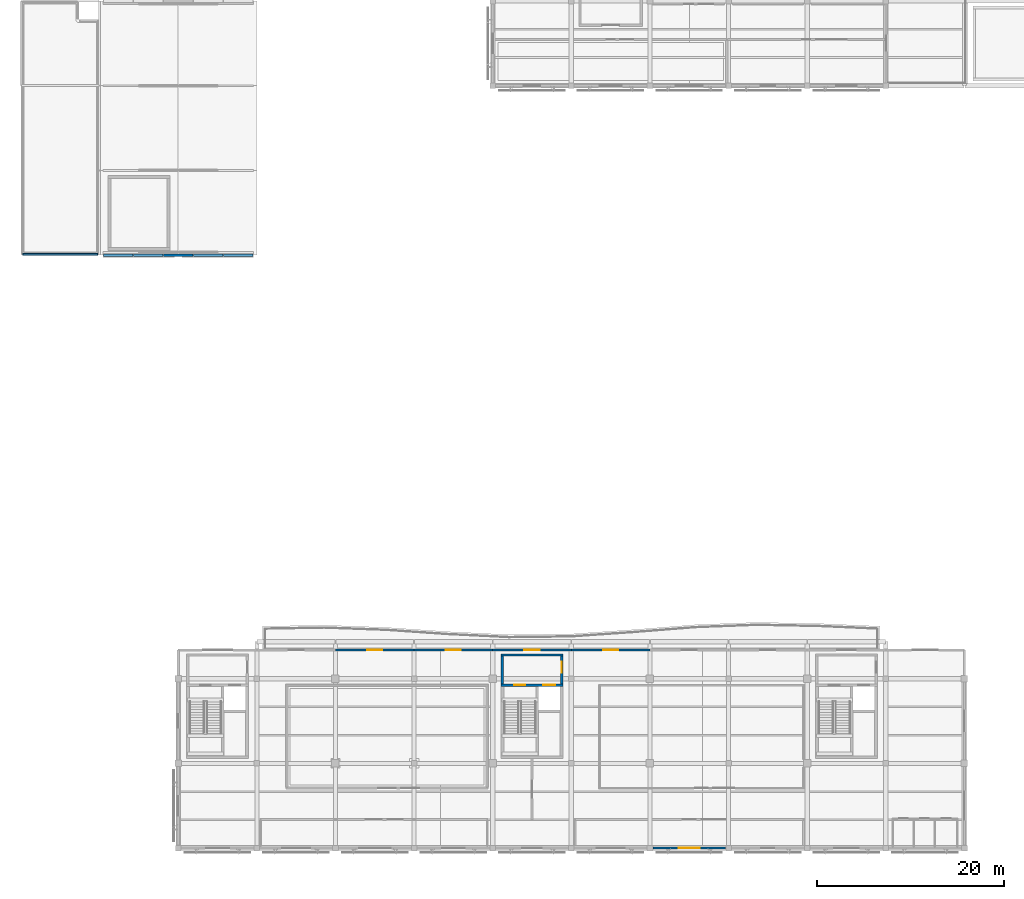
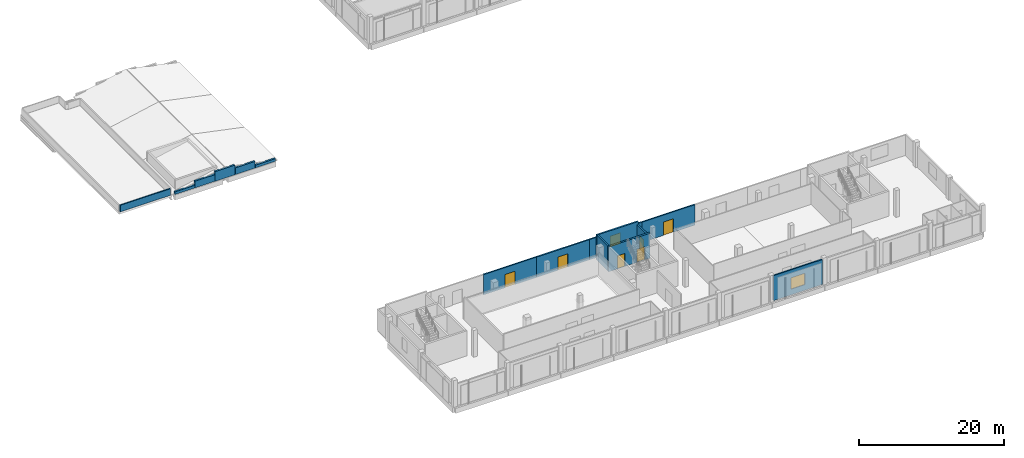
# One storey, part 16 of 28: 15 walls, 6 doors, 2 windows, 8 openings.
"""IFC4 building model written with IfcOpenShell, lengths in metres."""

from ifc_helpers import new_model, si_unit, direction, frame, frame_2d, origin, place, context, subcontext, project, spatial, rectangle, extrude, material, layer, layer_set, type_object, element, fill, save


model = new_model("IFC4")

# Units and contexts
model_context = context("Model", 3, precision=1e-05, world=origin(), true_north=direction((0.0, 1.0)))
body_context = subcontext(model_context, "Body", "Model", "MODEL_VIEW")
ifc_project = project(units=[si_unit("LENGTHUNIT", "METRE"), si_unit("AREAUNIT", "SQUARE_METRE"), si_unit("VOLUMEUNIT", "CUBIC_METRE"), si_unit("PLANEANGLEUNIT", "RADIAN"), si_unit("MASSUNIT", "GRAM", prefix="KILO")], contexts=[model_context])

# Site, building, storey
site_placement = place(None, origin())
site = spatial("IfcSite", under=ifc_project, at=site_placement, CompositionType="ELEMENT")
building_placement = place(site_placement, origin())
building = spatial("IfcBuilding", under=site, at=building_placement, Name="Khurvash Pelagic Aquarium", CompositionType="ELEMENT")
storey_placement = place(building_placement, frame((0.0, 0.0, 20.10009765625)))
storey = spatial("IfcBuildingStorey", under=building, at=storey_placement, Name="L04", CompositionType="ELEMENT", Elevation=20.10009765625)

# Wall, opening, window
ifc_material_1 = material(Name="Glass-fibre reinforced concrete C40/50", Category="concrete")
ifc_layer_1 = layer(ifc_material_1, 0.219970703125)
ifc_layer_set_1 = layer_set([ifc_layer_1], Name="Glass-fibre reinforced concrete C40/50")
wall_type_1 = type_object("IfcWallType", Name="EW-220", PredefinedType="STANDARD", material=ifc_layer_set_1)
wall_1_placement = place(storey_placement, frame((75.905029296875, 2.60009765625, 0.0), z_axis=(0.0, 0.0, 1.0), x_axis=(1.0, 0.0, 0.0)))
wall_1 = element("IfcWall", 1, at=wall_1_placement, inside=storey, type_object=wall_type_1, Name="L04 Exterior Architectural Facade Wall EW-220 0169", PredefinedType="STANDARD", context=body_context, shape_type="SweptSolid", body=[
    extrude(rectangle(XDim=7.7900390625, YDim=0.219970703125, at=frame_2d((3.89501953125, 0.0))), origin(), (0.0, 0.0, 1.0), 4.199951171875),
])
opening_1_placement = place(wall_1_placement, frame((2.794921875, 0.0, 0.949951171875)))
opening_1 = element("IfcOpeningElement", 2, at=opening_1_placement, cuts=wall_1, Name="Opening WN-08", PredefinedType="OPENING", context=body_context, shape_type="SweptSolid", body=[
    extrude(rectangle(XDim=2.199951171875, YDim=1.89990234375, at=frame_2d((1.10009765625, 0.949951171875))), frame((0.0, 0.1201171875, 0.0), z_axis=(0.0, -1.0, 0.0), x_axis=(1.0, 0.0, 0.0)), (0.0, 0.0, 1.0), 0.239990234375),
])
ifc_material_2 = material(Name="Thermally broken aluminium and low-E glass", Category="aluminium")
window_type_1 = type_object("IfcWindowType", Name="WN-08", PartitioningType="SINGLE_PANEL", PredefinedType="WINDOW", material=ifc_material_2)
window_1_placement = place(opening_1_placement, origin())
window_1 = element("IfcWindow", 3, at=window_1_placement, inside=storey, type_object=window_type_1, Name="L04 Facade Window WN-08 0114", OverallHeight=1.89990234375, OverallWidth=2.199951171875, PartitioningType="SINGLE_PANEL", PredefinedType="WINDOW", context=body_context, shape_type="SweptSolid", body=[
    extrude(rectangle(XDim=2.199951171875, YDim=1.89990234375, at=frame_2d((1.10009765625, 0.949951171875))), frame((0.0, 0.030029296875, 0.0), z_axis=(0.0, -1.0, 0.0), x_axis=(1.0, 0.0, 0.0)), (0.0, 0.0, 1.0), 0.06005859375),
])
fill(opening_1, window_1)

# Wall, opening, door
wall_2_placement = place(storey_placement, frame((75.60009765625, 23.75, 0.0), z_axis=(0.0, 0.0, 1.0), x_axis=(-1.0, 0.0, 0.0)))
wall_2 = element("IfcWall", 4, at=wall_2_placement, inside=storey, type_object=wall_type_1, Name="L04 Exterior Architectural Facade Wall EW-220 0180", PredefinedType="STANDARD", context=body_context, shape_type="SweptSolid", body=[
    extrude(rectangle(XDim=8.400146484375, YDim=0.219970703125, at=frame_2d((4.2001953125, 0.0))), origin(), (0.0, 0.0, 1.0), 3.427978515625),
])
opening_2_placement = place(wall_2_placement, frame((3.39990234375, 0.0, 0.0)))
opening_2 = element("IfcOpeningElement", 5, at=opening_2_placement, cuts=wall_2, Name="Opening ED-03", PredefinedType="OPENING", context=body_context, shape_type="SweptSolid", body=[
    extrude(rectangle(XDim=1.60009765625, YDim=2.25, at=frame_2d((0.800048828125, 1.125))), frame((0.0, 0.1201171875, 0.0), z_axis=(0.0, -1.0, 0.0), x_axis=(1.0, 0.0, 0.0)), (0.0, 0.0, 1.0), 0.239990234375),
])
ifc_material_3 = material(Name="Thermally broken glazed aluminium", Category="aluminium")
door_type_1 = type_object("IfcDoorType", Name="ED-03", OperationType="DOUBLE_DOOR_SINGLE_SWING", PredefinedType="DOOR", material=ifc_material_3)
door_1_placement = place(opening_2_placement, frame((1.60009765625, 0.0, 0.0), z_axis=(0.0, 0.0, 1.0), x_axis=(-1.0, 0.0, 0.0)))
door_1 = element("IfcDoor", 6, at=door_1_placement, inside=storey, type_object=door_type_1, Name="DR-0223", OperationType="DOUBLE_DOOR_SINGLE_SWING", OverallHeight=2.25, OverallWidth=1.60009765625, PredefinedType="DOOR", context=body_context, shape_type="SweptSolid", body=[
    extrude(rectangle(XDim=1.60009765625, YDim=2.25, at=frame_2d((0.800048828125, 1.125))), frame((0.0, 0.02490234375, 0.0), z_axis=(0.0, -1.0, 0.0), x_axis=(1.0, 0.0, 0.0)), (0.0, 0.0, 1.0), 0.050048828125),
])
fill(opening_2, door_1)

# Wall, opening, window
wall_3_placement = place(storey_placement, frame((67.199951171875, 23.75, 0.0), z_axis=(0.0, 0.0, 1.0), x_axis=(-1.0, 0.0, 0.0)))
wall_3 = element("IfcWall", 7, at=wall_3_placement, inside=storey, type_object=wall_type_1, Name="L04 Exterior Architectural Facade Wall EW-220 0181", PredefinedType="STANDARD", context=body_context, shape_type="SweptSolid", body=[
    extrude(rectangle(XDim=8.39990234375, YDim=0.219970703125, at=frame_2d((4.199951171875, 0.0))), origin(), (0.0, 0.0, 1.0), 3.427978515625),
])
opening_3_placement = place(wall_3_placement, frame((3.375, 0.0, 0.949951171875)))
opening_3 = element("IfcOpeningElement", 8, at=opening_3_placement, cuts=wall_3, Name="Opening WN-19", PredefinedType="OPENING", context=body_context, shape_type="SweptSolid", body=[
    extrude(rectangle(XDim=1.64990234375, YDim=1.85009765625, at=frame_2d((0.824951171875, 0.925048828125))), frame((0.0, 0.1201171875, 0.0), z_axis=(0.0, -1.0, 0.0), x_axis=(1.0, 0.0, 0.0)), (0.0, 0.0, 1.0), 0.239990234375),
])
window_type_2 = type_object("IfcWindowType", Name="WN-19", PartitioningType="SINGLE_PANEL", PredefinedType="WINDOW", material=ifc_material_2)
window_2_placement = place(opening_3_placement, origin())
window_2 = element("IfcWindow", 9, at=window_2_placement, inside=storey, type_object=window_type_2, Name="L04 Facade Window WN-19 0121", OverallHeight=1.85009765625, OverallWidth=1.64990234375, PartitioningType="SINGLE_PANEL", PredefinedType="WINDOW", context=body_context, shape_type="SweptSolid", body=[
    extrude(rectangle(XDim=1.64990234375, YDim=1.85009765625, at=frame_2d((0.824951171875, 0.925048828125))), frame((0.0, 0.030029296875, 0.0), z_axis=(0.0, -1.0, 0.0), x_axis=(1.0, 0.0, 0.0)), (0.0, 0.0, 1.0), 0.06005859375),
])
fill(opening_3, window_2)

# Wall, opening, door
wall_4_placement = place(storey_placement, frame((58.800048828125, 23.75, 0.0), z_axis=(0.0, 0.0, 1.0), x_axis=(-1.0, 0.0, 0.0)))
wall_4 = element("IfcWall", 10, at=wall_4_placement, inside=storey, type_object=wall_type_1, Name="L04 Exterior Architectural Facade Wall EW-220 0182", PredefinedType="STANDARD", context=body_context, shape_type="SweptSolid", body=[
    extrude(rectangle(XDim=8.400146484375, YDim=0.219970703125, at=frame_2d((4.2001953125, 0.0))), origin(), (0.0, 0.0, 1.0), 3.427978515625),
])
opening_4_placement = place(wall_4_placement, frame((3.39990234375, 0.0, 0.0)))
opening_4 = element("IfcOpeningElement", 11, at=opening_4_placement, cuts=wall_4, Name="Opening ED-03", PredefinedType="OPENING", context=body_context, shape_type="SweptSolid", body=[
    extrude(rectangle(XDim=1.60009765625, YDim=2.25, at=frame_2d((0.800048828125, 1.125))), frame((0.0, 0.1201171875, 0.0), z_axis=(0.0, -1.0, 0.0), x_axis=(1.0, 0.0, 0.0)), (0.0, 0.0, 1.0), 0.239990234375),
])
door_2_placement = place(opening_4_placement, frame((1.60009765625, 0.0, 0.0), z_axis=(0.0, 0.0, 1.0), x_axis=(-1.0, 0.0, 0.0)))
door_2 = element("IfcDoor", 12, at=door_2_placement, inside=storey, type_object=door_type_1, Name="DR-0224", OperationType="DOUBLE_DOOR_SINGLE_SWING", OverallHeight=2.25, OverallWidth=1.60009765625, PredefinedType="DOOR", context=body_context, shape_type="SweptSolid", body=[
    extrude(rectangle(XDim=1.60009765625, YDim=2.25, at=frame_2d((0.800048828125, 1.125))), frame((0.0, 0.02490234375, 0.0), z_axis=(0.0, -1.0, 0.0), x_axis=(1.0, 0.0, 0.0)), (0.0, 0.0, 1.0), 0.050048828125),
])
fill(opening_4, door_2)

wall_5_placement = place(storey_placement, frame((50.39990234375, 23.75, 0.0), z_axis=(0.0, 0.0, 1.0), x_axis=(-1.0, 0.0, 0.0)))
wall_5 = element("IfcWall", 13, at=wall_5_placement, inside=storey, type_object=wall_type_1, Name="L04 Exterior Architectural Facade Wall EW-220 0183", PredefinedType="STANDARD", context=body_context, shape_type="SweptSolid", body=[
    extrude(rectangle(XDim=8.39990234375, YDim=0.219970703125, at=frame_2d((4.199951171875, 0.0))), origin(), (0.0, 0.0, 1.0), 3.427978515625),
])
opening_5_placement = place(wall_5_placement, frame((3.39990234375, 0.0, 0.0)))
opening_5 = element("IfcOpeningElement", 14, at=opening_5_placement, cuts=wall_5, Name="Opening ED-03", PredefinedType="OPENING", context=body_context, shape_type="SweptSolid", body=[
    extrude(rectangle(XDim=1.60009765625, YDim=2.25, at=frame_2d((0.800048828125, 1.125))), frame((0.0, 0.1201171875, 0.0), z_axis=(0.0, -1.0, 0.0), x_axis=(1.0, 0.0, 0.0)), (0.0, 0.0, 1.0), 0.239990234375),
])
door_3_placement = place(opening_5_placement, frame((1.60009765625, 0.0, 0.0), z_axis=(0.0, 0.0, 1.0), x_axis=(-1.0, 0.0, 0.0)))
door_3 = element("IfcDoor", 15, at=door_3_placement, inside=storey, type_object=door_type_1, Name="DR-0225", OperationType="DOUBLE_DOOR_SINGLE_SWING", OverallHeight=2.25, OverallWidth=1.60009765625, PredefinedType="DOOR", context=body_context, shape_type="SweptSolid", body=[
    extrude(rectangle(XDim=1.60009765625, YDim=2.25, at=frame_2d((0.800048828125, 1.125))), frame((0.0, 0.02490234375, 0.0), z_axis=(0.0, -1.0, 0.0), x_axis=(1.0, 0.0, 0.0)), (0.0, 0.0, 1.0), 0.050048828125),
])
fill(opening_5, door_3)

# Walls
ifc_layer_2 = layer(ifc_material_1, 0.280029296875)
ifc_layer_set_2 = layer_set([ifc_layer_2], Name="Glass-fibre reinforced concrete C40/50")
wall_type_2 = type_object("IfcWallType", Name="EW-280", PredefinedType="STANDARD", material=ifc_layer_set_2)
wall_6_placement = place(storey_placement, frame((17.219970703125, 65.949951171875, 0.0), z_axis=(0.0, 0.0, 1.0), x_axis=(1.0, 0.0, 0.0)))
element("IfcWall", 16, at=wall_6_placement, inside=storey, type_object=wall_type_2, Name="L04 Education Pavilion South Gable Spandrel Wall EW-280 P1", PredefinedType="STANDARD", context=body_context, shape_type="SweptSolid", body=[
    extrude(rectangle(XDim=3.159912109375, YDim=0.280029296875, at=frame_2d((1.580078125, 0.0))), origin(), (0.0, 0.0, 1.0), 0.449951171875),
])
wall_7_placement = place(storey_placement, frame((20.419921875, 65.949951171875, 0.0), z_axis=(0.0, 0.0, 1.0), x_axis=(1.0, 0.0, 0.0)))
element("IfcWall", 17, at=wall_7_placement, inside=storey, type_object=wall_type_2, Name="L04 Education Pavilion South Gable Spandrel Wall EW-280 P2", PredefinedType="STANDARD", context=body_context, shape_type="SweptSolid", body=[
    extrude(rectangle(XDim=3.16015625, YDim=0.280029296875, at=frame_2d((1.580078125, 0.0))), origin(), (0.0, 0.0, 1.0), 1.119873046875),
])
wall_8_placement = place(storey_placement, frame((23.6201171875, 65.949951171875, 0.0), z_axis=(0.0, 0.0, 1.0), x_axis=(1.0, 0.0, 0.0)))
element("IfcWall", 18, at=wall_8_placement, inside=storey, type_object=wall_type_2, Name="L04 Education Pavilion South Gable Spandrel Wall EW-280 P3", PredefinedType="STANDARD", context=body_context, shape_type="SweptSolid", body=[
    extrude(rectangle(XDim=3.159912109375, YDim=0.280029296875, at=frame_2d((1.580078125, 0.0))), origin(), (0.0, 0.0, 1.0), 1.619873046875),
])
wall_9_placement = place(storey_placement, frame((26.820068359375, 65.949951171875, 0.0), z_axis=(0.0, 0.0, 1.0), x_axis=(1.0, 0.0, 0.0)))
element("IfcWall", 19, at=wall_9_placement, inside=storey, type_object=wall_type_2, Name="L04 Education Pavilion South Gable Spandrel Wall EW-280 P4", PredefinedType="STANDARD", context=body_context, shape_type="SweptSolid", body=[
    extrude(rectangle(XDim=3.159912109375, YDim=0.280029296875, at=frame_2d((1.580078125, 0.0))), origin(), (0.0, 0.0, 1.0), 1.119873046875),
])
wall_10_placement = place(storey_placement, frame((30.02001953125, 65.949951171875, 0.0), z_axis=(0.0, 0.0, 1.0), x_axis=(1.0, 0.0, 0.0)))
element("IfcWall", 20, at=wall_10_placement, inside=storey, type_object=wall_type_2, Name="L04 Education Pavilion South Gable Spandrel Wall EW-280 P5", PredefinedType="STANDARD", context=body_context, shape_type="SweptSolid", body=[
    extrude(rectangle(XDim=3.159912109375, YDim=0.280029296875, at=frame_2d((1.580078125, 0.0))), origin(), (0.0, 0.0, 1.0), 0.449951171875),
])
ifc_material_4 = material(Name="Precast concrete C40/50", Category="concrete")
ifc_layer_3 = layer(ifc_material_4, 0.179931640625)
ifc_layer_set_3 = layer_set([ifc_layer_3], Name="Precast concrete C40/50")
wall_type_3 = type_object("IfcWallType", Name="PP-180", PredefinedType="PARAPET", material=ifc_layer_set_3)
wall_11_placement = place(storey_placement, frame((16.60009765625, 66.050048828125, 0.0), z_axis=(0.0, 0.0, 1.0), x_axis=(-1.0, 0.0, 0.0)))
element("IfcWall", 21, at=wall_11_placement, inside=storey, type_object=wall_type_3, Name="L04 Roof Perimeter Parapet Wall PP-180", PredefinedType="PARAPET", context=body_context, shape_type="SweptSolid", body=[
    extrude(rectangle(XDim=8.0, YDim=0.179931640625, at=frame_2d((4.0, 0.0))), origin(), (0.0, 0.0, 1.0), 1.119873046875),
])
ifc_material_5 = material(Name="AAC blockwork", Category="masonry")
ifc_layer_4 = layer(ifc_material_5, 0.25)
ifc_layer_set_4 = layer_set([ifc_layer_4], Name="AAC blockwork")
wall_type_4 = type_object("IfcWallType", Name="PW-250", PredefinedType="PARTITIONING", material=ifc_layer_set_4)
wall_12_placement = place(storey_placement, frame((59.699951171875, 23.22509765625, 0.0), z_axis=(0.0, 0.0, 1.0), x_axis=(1.0, 0.0, 0.0)))
element("IfcWall", 22, at=wall_12_placement, inside=storey, type_object=wall_type_4, Name="L04 Core C2 Lobby Front Fire Wall PW-250", PredefinedType="PARTITIONING", context=body_context, shape_type="SweptSolid", body=[
    extrude(rectangle(XDim=6.60009765625, YDim=0.25, at=frame_2d((3.300048828125, 0.0))), origin(), (0.0, 0.0, 1.0), 4.199951171875),
])
wall_13_placement = place(storey_placement, frame((59.824951171875, 20.14990234375, 0.0), z_axis=(0.0, 0.0, 1.0), x_axis=(0.0, 1.0, 0.0)))
element("IfcWall", 23, at=wall_13_placement, inside=storey, type_object=wall_type_4, Name="L04 Core C2 Lobby West Fire Wall PW-250", PredefinedType="PARTITIONING", context=body_context, shape_type="SweptSolid", body=[
    extrude(rectangle(XDim=2.9501953125, YDim=0.25, at=frame_2d((1.47509765625, 0.0))), origin(), (0.0, 0.0, 1.0), 4.199951171875),
])

# Wall, opening, door
wall_14_placement = place(storey_placement, frame((66.175048828125, 20.14990234375, 0.0), z_axis=(0.0, 0.0, 1.0), x_axis=(0.0, 1.0, 0.0)))
wall_14 = element("IfcWall", 24, at=wall_14_placement, inside=storey, type_object=wall_type_4, Name="L04 Core C2 Lobby East Fire Wall PW-250", PredefinedType="PARTITIONING", context=body_context, shape_type="SweptSolid", body=[
    extrude(rectangle(XDim=2.9501953125, YDim=0.25, at=frame_2d((1.47509765625, 0.0))), origin(), (0.0, 0.0, 1.0), 3.782958984375),
])
opening_6_placement = place(wall_14_placement, frame((1.179931640625, 0.0, 0.0)))
opening_6 = element("IfcOpeningElement", 25, at=opening_6_placement, cuts=wall_14, Name="Opening FD-01", PredefinedType="OPENING", context=body_context, shape_type="SweptSolid", body=[
    extrude(rectangle(XDim=1.14990234375, YDim=2.199951171875, at=frame_2d((0.574951171875, 1.10009765625))), frame((0.0, 0.135009765625, 0.0), z_axis=(0.0, -1.0, 0.0), x_axis=(1.0, 0.0, 0.0)), (0.0, 0.0, 1.0), 0.27001953125),
])
ifc_material_6 = material(Name="Galvanised steel fire door", Category="steel")
door_type_2 = type_object("IfcDoorType", Name="FD-01", OperationType="NOTDEFINED", PredefinedType="DOOR", material=ifc_material_6)
door_4_placement = place(opening_6_placement, frame((1.14990234375, 0.0, 0.0), z_axis=(0.0, 0.0, 1.0), x_axis=(-1.0, 0.0, 0.0)))
door_4 = element("IfcDoor", 26, at=door_4_placement, inside=storey, type_object=door_type_2, Name="DR-0241", OperationType="SINGLE_SWING_LEFT", OverallHeight=2.199951171875, OverallWidth=1.14990234375, PredefinedType="DOOR", context=body_context, shape_type="SweptSolid", body=[
    extrude(rectangle(XDim=1.14990234375, YDim=2.199951171875, at=frame_2d((0.574951171875, 1.10009765625))), frame((0.0, 0.02490234375, 0.0), z_axis=(0.0, -1.0, 0.0), x_axis=(1.0, 0.0, 0.0)), (0.0, 0.0, 1.0), 0.050048828125),
])
fill(opening_6, door_4)

# Wall, openings, doors
ifc_material_7 = material(Name="Concrete C40/50", Category="concrete")
ifc_layer_5 = layer(ifc_material_7, 0.300048828125)
ifc_layer_set_5 = layer_set([ifc_layer_5], Name="Concrete C40/50")
wall_type_5 = type_object("IfcWallType", Name="SW-300", PredefinedType="SHEAR", material=ifc_layer_set_5)
wall_15_placement = place(storey_placement, frame((59.699951171875, 20.0, 0.0), z_axis=(0.0, 0.0, 1.0), x_axis=(1.0, 0.0, 0.0)))
wall_15 = element("IfcWall", 27, at=wall_15_placement, inside=storey, type_object=wall_type_5, Name="L04 Core C2 North Shear Wall SW-300", PredefinedType="SHEAR", context=body_context, shape_type="SweptSolid", body=[
    extrude(rectangle(XDim=6.60009765625, YDim=0.300048828125, at=frame_2d((3.300048828125, 0.0))), origin(), (0.0, 0.0, 1.0), 4.199951171875),
])
opening_7_placement = place(wall_15_placement, frame((1.425048828125, 0.0, 0.0)))
opening_7 = element("IfcOpeningElement", 28, at=opening_7_placement, cuts=wall_15, Name="Opening FD-01", PredefinedType="OPENING", context=body_context, shape_type="SweptSolid", body=[
    extrude(rectangle(XDim=1.14990234375, YDim=2.199951171875, at=frame_2d((0.574951171875, 1.10009765625))), frame((0.0, 0.16015625, 0.0), z_axis=(0.0, -1.0, 0.0), x_axis=(1.0, 0.0, 0.0)), (0.0, 0.0, 1.0), 0.320068359375),
])
opening_8_placement = place(wall_15_placement, frame((4.5, 0.0, 0.0)))
opening_8 = element("IfcOpeningElement", 29, at=opening_8_placement, cuts=wall_15, Name="Opening LD-02", PredefinedType="OPENING", context=body_context, shape_type="SweptSolid", body=[
    extrude(rectangle(XDim=1.300048828125, YDim=2.199951171875, at=frame_2d((0.64990234375, 1.10009765625))), frame((0.0, 0.16015625, 0.0), z_axis=(0.0, -1.0, 0.0), x_axis=(1.0, 0.0, 0.0)), (0.0, 0.0, 1.0), 0.320068359375),
])
door_5_placement = place(opening_7_placement, frame((1.14990234375, 0.0, 0.0), z_axis=(0.0, 0.0, 1.0), x_axis=(-1.0, 0.0, 0.0)))
door_5 = element("IfcDoor", 30, at=door_5_placement, inside=storey, type_object=door_type_2, Name="DR-0214", OperationType="SINGLE_SWING_RIGHT", OverallHeight=2.199951171875, OverallWidth=1.14990234375, PredefinedType="DOOR", context=body_context, shape_type="SweptSolid", body=[
    extrude(rectangle(XDim=1.14990234375, YDim=2.199951171875, at=frame_2d((0.574951171875, 1.10009765625))), frame((0.0, 0.02490234375, 0.0), z_axis=(0.0, -1.0, 0.0), x_axis=(1.0, 0.0, 0.0)), (0.0, 0.0, 1.0), 0.050048828125),
])
fill(opening_7, door_5)
ifc_material_8 = material(Name="Brushed stainless steel 316 lift landing door", Category="steel")
door_type_3 = type_object("IfcDoorType", Name="LD-02", OperationType="DOUBLE_DOOR_SLIDING", PredefinedType="DOOR", material=ifc_material_8)
door_6_placement = place(opening_8_placement, origin())
door_6 = element("IfcDoor", 31, at=door_6_placement, inside=storey, type_object=door_type_3, Name="DR-0218", OperationType="DOUBLE_DOOR_SLIDING", OverallHeight=2.199951171875, OverallWidth=1.300048828125, PredefinedType="DOOR", context=body_context, shape_type="SweptSolid", body=[
    extrude(rectangle(XDim=1.300048828125, YDim=2.199951171875, at=frame_2d((0.64990234375, 1.10009765625))), frame((0.0, 0.02490234375, 0.0), z_axis=(0.0, -1.0, 0.0), x_axis=(1.0, 0.0, 0.0)), (0.0, 0.0, 1.0), 0.050048828125),
])
fill(opening_8, door_6)

save(model, "model.ifc")
